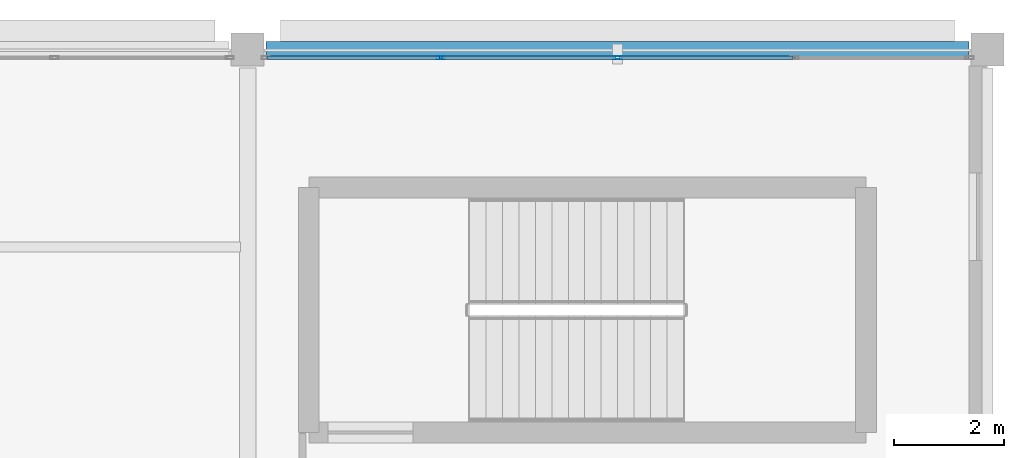
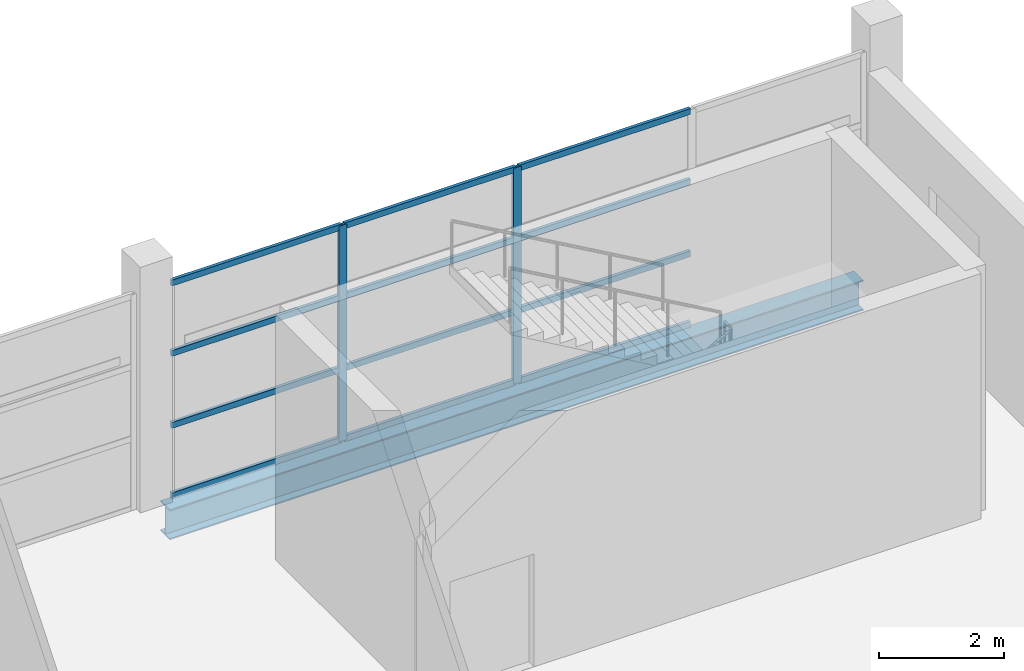
# One storey, part 110 of 134: 14 members, 1 beam, 1 element without a shape of its own.
"""IFC4 building model written with IfcOpenShell, lengths in metres."""

import ifcopenshell
import ifcopenshell.guid

model = None  # the IFC model being written
_history = None  # IfcOwnerHistory: only IFC2X3 demands one
_inside = {}  # id of a spatial element -> (the spatial element, [elements in it])
_under = {}  # id of a project, library or spatial element -> (it, [spatial elements below it])
_declared = {}  # id of a project -> (the project, [libraries it declares])
_typed = {}  # id of a type object -> (the type object, [elements of that type])
_made_of = {}  # id of a material, layer set ... -> (it, [elements and type objects made of it])


def new_model(schema):
    """Start an empty IFC model of exactly this schema.

    Asked for "IFC4X3", IfcOpenShell would pick the latest addendum, in which some entities
    have other attributes; the version numbers below select the first issue.
    IFC2X3 requires an IfcOwnerHistory on every rooted entity: one is made here for all.
    """
    global model, _history
    if schema == "IFC4X3":
        model = ifcopenshell.file(schema_version=(4, 3, 0, 0))
    else:
        model = ifcopenshell.file(schema=schema)
    _inside.clear()
    _under.clear()
    _declared.clear()
    _typed.clear()
    _made_of.clear()
    _history = None
    if model.schema == "IFC2X3":
        org = make("IfcOrganization", Name="unknown")
        user = make(
            "IfcPersonAndOrganization",
            ThePerson=make("IfcPerson", FamilyName="unknown"),
            TheOrganization=org,
        )
        app = make(
            "IfcApplication",
            ApplicationDeveloper=org,
            Version="unknown",
            ApplicationFullName="unknown",
            ApplicationIdentifier="unknown",
        )
        _history = make(
            "IfcOwnerHistory",
            OwningUser=user,
            OwningApplication=app,
            ChangeAction="ADDED",
            CreationDate=0,
        )
    return model


def make(cls, **values):
    """One entity of the class cls with the attributes given. An attribute that is None is left unset."""
    return model.create_entity(
        cls, **{name: value for name, value in values.items() if value is not None}
    )


def rooted(cls, **values):
    """An entity with a GlobalId (a new one), such as an element, a storey or a relation."""
    return make(cls, GlobalId=ifcopenshell.guid.new(), OwnerHistory=_history, **values)


def si_unit(unit_type, name, prefix=None):
    """IfcSIUnit, for example si_unit("LENGTHUNIT", "METRE", prefix="MILLI")."""
    return make("IfcSIUnit", UnitType=unit_type, Prefix=prefix, Name=name)


def assignment(units):
    """IfcUnitAssignment: the units of a project."""
    return None if units is None else make("IfcUnitAssignment", Units=units)


def point(xyz):
    """IfcCartesianPoint."""
    return None if xyz is None else make("IfcCartesianPoint", Coordinates=xyz)


def direction(xyz):
    """IfcDirection."""
    return None if xyz is None else make("IfcDirection", DirectionRatios=xyz)


def frame(location, z_axis=None, x_axis=None):
    """IfcAxis2Placement3D, a coordinate frame: its origin and axes. An axis left out is left unset."""
    return make(
        "IfcAxis2Placement3D",
        Location=point(location),
        Axis=direction(z_axis),
        RefDirection=direction(x_axis),
    )


def frame_2d(location, x_axis=None):
    """IfcAxis2Placement2D, a coordinate frame in the plane: its origin and x axis."""
    return make(
        "IfcAxis2Placement2D", Location=point(location), RefDirection=direction(x_axis)
    )


def origin():
    """The frame at (0, 0, 0) with its axes left unset."""
    return frame((0.0, 0.0, 0.0))


def origin_2d():
    """The frame at (0, 0) in the plane with its x axis left unset."""
    return frame_2d((0.0, 0.0))


def place(relative_to, where):
    """IfcLocalPlacement: puts the frame where relative to a parent placement (None: the world)."""
    return make(
        "IfcLocalPlacement", PlacementRelTo=relative_to, RelativePlacement=where
    )


def context(
    kind, dimensions, precision=None, world=None, true_north=None, identifier=None
):
    """IfcGeometricRepresentationContext, for example the 3D "Model" context."""
    return make(
        "IfcGeometricRepresentationContext",
        ContextIdentifier=identifier,
        ContextType=kind,
        CoordinateSpaceDimension=dimensions,
        Precision=precision,
        WorldCoordinateSystem=world,
        TrueNorth=true_north,
    )


def subcontext(parent, identifier, kind, view, scale=None):
    """IfcGeometricRepresentationSubContext, for example "Body" below "Model"."""
    return make(
        "IfcGeometricRepresentationSubContext",
        ContextIdentifier=identifier,
        ContextType=kind,
        ParentContext=parent,
        TargetScale=scale,
        TargetView=view,
    )


def project(units=None, contexts=None):
    """IfcProject with its units and contexts."""
    return rooted(
        "IfcProject",
        Name="project",
        RepresentationContexts=contexts,
        UnitsInContext=assignment(units),
    )


def spatial(cls, under=None, at=None, **own):
    """A site, building, storey or space (cls), placed at a placement, below another one or the project."""
    s = rooted(cls, ObjectPlacement=at, **own)
    if under is not None:
        _under.setdefault(under.id(), (under, []))[1].append(s)
    return s


def profile(cls, at=None, kind="AREA", **sizes):
    """A parametric profile (cls). Its sizes go by their IFC names, for example OverallWidth=200.0."""
    return make(cls, ProfileType=kind, Position=at, **sizes)


def hollow_rectangle(**sizes):
    """IfcRectangleHollowProfileDef."""
    return profile("IfcRectangleHollowProfileDef", **sizes)


def i_section(**sizes):
    """IfcIShapeProfileDef."""
    return profile("IfcIShapeProfileDef", **sizes)


def extrude(swept, where, along, depth):
    """IfcExtrudedAreaSolid: the profile swept, set in the frame where, extruded along a direction by depth."""
    return make(
        "IfcExtrudedAreaSolid",
        SweptArea=swept,
        Position=where,
        ExtrudedDirection=direction(along),
        Depth=depth,
    )


def shape(context_of_items, identifier, shape_type, items):
    """IfcShapeRepresentation: the items that make up one representation, for example the "Body"."""
    return make(
        "IfcShapeRepresentation",
        ContextOfItems=context_of_items,
        RepresentationIdentifier=identifier,
        RepresentationType=shape_type,
        Items=items,
    )


def material(Name=None, Category=None):
    """IfcMaterial."""
    return make("IfcMaterial", Name=Name, Category=Category)


def layer(
    of_material, thickness, ventilated=None, Name=None, Category=None, Priority=None
):
    """IfcMaterialLayer: one layer of a wall or slab, of a material (None: an air gap)."""
    return make(
        "IfcMaterialLayer",
        Material=of_material,
        LayerThickness=thickness,
        IsVentilated=ventilated,
        Name=Name,
        Category=Category,
        Priority=Priority,
    )


def layer_set(layers, Name=None):
    """IfcMaterialLayerSet."""
    return make("IfcMaterialLayerSet", MaterialLayers=layers, LayerSetName=Name)


def material_profile(
    of_material, cross_section, Name=None, Category=None, Priority=None
):
    """IfcMaterialProfile: a cross section and its material."""
    return make(
        "IfcMaterialProfile",
        Name=Name,
        Material=of_material,
        Profile=cross_section,
        Priority=Priority,
        Category=Category,
    )


def profile_set(profiles, Name=None, composite=None):
    """IfcMaterialProfileSet."""
    return make(
        "IfcMaterialProfileSet",
        Name=Name,
        MaterialProfiles=profiles,
        CompositeProfile=composite,
    )


def made_of(thing, what):
    """Note that an element or type object is made of a material, layer set ...; save() writes the relation."""
    if what is not None:
        _made_of.setdefault(what.id(), (what, []))[1].append(thing)
    return thing


def type_object(cls, material=None, **own):
    """A type object (cls), such as IfcWallType, which elements share."""
    return made_of(rooted(cls, **own), material)


def element(
    cls,
    number,
    at=None,
    inside=None,
    cuts=None,
    type_object=None,
    material=None,
    context=None,
    identifier="Body",
    shape_type=None,
    held_by="IfcProductDefinitionShape",
    body=None,
    shapes=None,
    **own,
):
    """One element of the class cls, such as IfcWall. Its Tag is "e" and its number.

    at: its placement. inside: the storey or other place that contains it. cuts: it is an
    opening in that element (IfcRelVoidsElement). A single representation is given by context,
    identifier, shape_type and body (its items); several are given by shapes. held_by: the class
    of the entity that holds the representations. save() writes the other relations.
    """
    e = rooted(cls, Tag="e%d" % number, ObjectPlacement=at, **own)
    if body is not None:
        shapes = [shape(context, identifier, shape_type, body)]
    if shapes is not None:
        e.Representation = make(held_by, Representations=shapes)
    if inside is not None:
        _inside.setdefault(inside.id(), (inside, []))[1].append(e)
    if cuts is not None:
        rooted(
            "IfcRelVoidsElement", RelatingBuildingElement=cuts, RelatedOpeningElement=e
        )
    if type_object is not None:
        _typed.setdefault(type_object.id(), (type_object, []))[1].append(e)
    return made_of(e, material)


def aggregate(whole, parts):
    """IfcRelAggregates: a whole, such as a stair, and the parts it consists of."""
    return rooted("IfcRelAggregates", RelatingObject=whole, RelatedObjects=parts)


def save(model, path):
    """Write the relations noted so far, then the file.

    IfcRelAggregates (storeys below a building ...), IfcRelContainedInSpatialStructure (elements
    in a storey), IfcRelDefinesByType, IfcRelAssociatesMaterial and IfcRelDeclares: one each for
    every whole, place, type object, material and project.
    """
    for whole, parts in _under.values():
        aggregate(whole, parts)
    for where, things in _inside.values():
        rooted(
            "IfcRelContainedInSpatialStructure",
            RelatedElements=things,
            RelatingStructure=where,
        )
    for kind, things in _typed.values():
        rooted("IfcRelDefinesByType", RelatedObjects=things, RelatingType=kind)
    for what, things in _made_of.values():
        rooted("IfcRelAssociatesMaterial", RelatedObjects=things, RelatingMaterial=what)
    for by, libraries in _declared.values():
        rooted("IfcRelDeclares", RelatingContext=by, RelatedDefinitions=libraries)
    model.write(path)


model = new_model("IFC4")

# Units and contexts
model_context = context("Model", 3, precision=1e-05, world=origin(), true_north=direction((0.0, 1.0)))
body_context = subcontext(model_context, "Body", "Model", "MODEL_VIEW")
ifc_project = project(units=[si_unit("LENGTHUNIT", "METRE"), si_unit("AREAUNIT", "SQUARE_METRE"), si_unit("VOLUMEUNIT", "CUBIC_METRE"), si_unit("PLANEANGLEUNIT", "RADIAN"), si_unit("MASSUNIT", "GRAM", prefix="KILO")], contexts=[model_context])

# Site, building, storey
site_placement = place(None, origin())
site = spatial("IfcSite", under=ifc_project, at=site_placement, CompositionType="ELEMENT")
building_placement = place(site_placement, origin())
building = spatial("IfcBuilding", under=site, at=building_placement, Name="Tamarisk Ironworks Central Station", CompositionType="ELEMENT")
storey_placement = place(building_placement, frame((0.0, 0.0, 12.60009765625)))
storey = spatial("IfcBuildingStorey", under=building, at=storey_placement, Name="L02", CompositionType="ELEMENT", Elevation=12.60009765625)

# Beam
ifc_material_1 = material(Name="Structural steel S355J2", Category="steel")
ifc_material_profile_1 = material_profile(ifc_material_1, i_section(OverallWidth=0.300048828125, OverallDepth=0.590087890625, WebThickness=0.012939453125, FlangeThickness=0.02490234375, at=origin_2d()), Name="HEA 600")
ifc_profile_set_1 = profile_set([ifc_material_profile_1], Name="Structural steel S355J2")
beam_type = type_object("IfcBeamType", Name="BM-G03", PredefinedType="BEAM", material=ifc_profile_set_1)
beam_placement = place(storey_placement, frame((166.837890625, 122.39990234375, -0.545166015625), z_axis=(1.0, 0.0, 0.0), x_axis=(0.0, 1.0, 0.0)))
element("IfcBeam", 1, at=beam_placement, inside=storey, type_object=beam_type, Name="L02 primary girder X-0415", PredefinedType="BEAM", context=body_context, shape_type="SweptSolid", body=[
    extrude(i_section(OverallWidth=0.300048828125, OverallDepth=0.590087890625, WebThickness=0.012939453125, FlangeThickness=0.02490234375, at=origin_2d()), origin(), (0.0, 0.0, 1.0), 12.82421875),
])

# Curtain wall, members
ifc_material_2 = material(Name="Anodized aluminium alloy 6063-T6", Category="aluminium")
ifc_layer = layer(ifc_material_2, 0.179931640625)
ifc_layer_set = layer_set([ifc_layer], Name="Anodized aluminium alloy 6063-T6")
curtain_wall_type = type_object("IfcCurtainWallType", Name="CW-17", PredefinedType="USERDEFINED", material=ifc_layer_set)
curtain_wall_placement = place(storey_placement, origin())
curtain_wall = element("IfcCurtainWall", 2, at=curtain_wall_placement, inside=storey, type_object=curtain_wall_type, Name="Operations L02 north facade curtain wall 166", ObjectType="GLAZED CURTAIN WALL", PredefinedType="USERDEFINED")
ifc_material_profile_2 = material_profile(ifc_material_2, hollow_rectangle(XDim=0.06005859375, YDim=0.14990234375, WallThickness=0.00341796875, at=origin_2d()), Name="ALUM 150x60")
ifc_profile_set_2 = profile_set([ifc_material_profile_2], Name="Anodized aluminium alloy 6063-T6")
member_type_1 = type_object("IfcMemberType", Name="CWM-03", PredefinedType="MULLION", material=ifc_profile_set_2)
member_1_placement = place(storey_placement, frame((170.02392578125, 122.25, 0.0), z_axis=(0.0, 0.0, 1.0), x_axis=(0.0, 1.0, 0.0)))
member_1 = element("IfcMember", 3, at=member_1_placement, type_object=member_type_1, Name="CW17 mullion 2", PredefinedType="MULLION", context=body_context, shape_type="SweptSolid", body=[
    extrude(hollow_rectangle(XDim=0.06005859375, YDim=0.14990234375, WallThickness=0.00341796875, at=origin_2d()), origin(), (0.0, 0.0, 1.0), 4.219970703125),
])
member_2_placement = place(storey_placement, frame((173.25, 122.25, 0.0), z_axis=(0.0, 0.0, 1.0), x_axis=(0.0, 1.0, 0.0)))
member_2 = element("IfcMember", 4, at=member_2_placement, type_object=member_type_1, Name="CW17 mullion 3", PredefinedType="MULLION", context=body_context, shape_type="SweptSolid", body=[
    extrude(hollow_rectangle(XDim=0.06005859375, YDim=0.14990234375, WallThickness=0.00341796875, at=origin_2d()), origin(), (0.0, 0.0, 1.0), 4.219970703125),
])
ifc_material_profile_3 = material_profile(ifc_material_2, hollow_rectangle(XDim=0.06005859375, YDim=0.114990234375, WallThickness=0.00341796875, at=origin_2d()), Name="ALUM 115x60")
ifc_profile_set_3 = profile_set([ifc_material_profile_3], Name="Anodized aluminium alloy 6063-T6")
member_type_2 = type_object("IfcMemberType", Name="CWT-03", PredefinedType="USERDEFINED", material=ifc_profile_set_3)
member_3_placement = place(storey_placement, frame((166.85400390625, 122.25, 0.02978515625), z_axis=(1.0, 0.0, 0.0), x_axis=(0.0, 1.0, 0.0)))
member_3 = element("IfcMember", 5, at=member_3_placement, type_object=member_type_2, Name="CW17 transom 1.1", ObjectType="TRANSOM", PredefinedType="USERDEFINED", context=body_context, shape_type="SweptSolid", body=[
    extrude(hollow_rectangle(XDim=0.06005859375, YDim=0.114990234375, WallThickness=0.00341796875, at=origin_2d()), origin(), (0.0, 0.0, 1.0), 3.14404296875),
])
member_4_placement = place(storey_placement, frame((166.85400390625, 122.25, 1.406494140625), z_axis=(1.0, 0.0, 0.0), x_axis=(0.0, 1.0, 0.0)))
member_4 = element("IfcMember", 6, at=member_4_placement, type_object=member_type_2, Name="CW17 transom 1.2", ObjectType="TRANSOM", PredefinedType="USERDEFINED", context=body_context, shape_type="SweptSolid", body=[
    extrude(hollow_rectangle(XDim=0.06005859375, YDim=0.114990234375, WallThickness=0.00341796875, at=origin_2d()), origin(), (0.0, 0.0, 1.0), 3.14404296875),
])
member_5_placement = place(storey_placement, frame((166.85400390625, 122.25, 2.813232421875), z_axis=(1.0, 0.0, 0.0), x_axis=(0.0, 1.0, 0.0)))
member_5 = element("IfcMember", 7, at=member_5_placement, type_object=member_type_2, Name="CW17 transom 1.3", ObjectType="TRANSOM", PredefinedType="USERDEFINED", context=body_context, shape_type="SweptSolid", body=[
    extrude(hollow_rectangle(XDim=0.06005859375, YDim=0.114990234375, WallThickness=0.00341796875, at=origin_2d()), origin(), (0.0, 0.0, 1.0), 3.14404296875),
])
member_6_placement = place(storey_placement, frame((166.85400390625, 122.25, 4.18994140625), z_axis=(1.0, 0.0, 0.0), x_axis=(0.0, 1.0, 0.0)))
member_6 = element("IfcMember", 8, at=member_6_placement, type_object=member_type_2, Name="CW17 transom 1.4", ObjectType="TRANSOM", PredefinedType="USERDEFINED", context=body_context, shape_type="SweptSolid", body=[
    extrude(hollow_rectangle(XDim=0.06005859375, YDim=0.114990234375, WallThickness=0.00341796875, at=origin_2d()), origin(), (0.0, 0.0, 1.0), 3.14404296875),
])
member_7_placement = place(storey_placement, frame((170.050048828125, 122.25, 0.02978515625), z_axis=(1.0, 0.0, 0.0), x_axis=(0.0, 1.0, 0.0)))
member_7 = element("IfcMember", 9, at=member_7_placement, type_object=member_type_2, Name="CW17 transom 2.1", ObjectType="TRANSOM", PredefinedType="USERDEFINED", context=body_context, shape_type="SweptSolid", body=[
    extrude(hollow_rectangle(XDim=0.06005859375, YDim=0.114990234375, WallThickness=0.00341796875, at=origin_2d()), origin(), (0.0, 0.0, 1.0), 3.174072265625),
])
member_8_placement = place(storey_placement, frame((170.050048828125, 122.25, 1.406494140625), z_axis=(1.0, 0.0, 0.0), x_axis=(0.0, 1.0, 0.0)))
member_8 = element("IfcMember", 10, at=member_8_placement, type_object=member_type_2, Name="CW17 transom 2.2", ObjectType="TRANSOM", PredefinedType="USERDEFINED", context=body_context, shape_type="SweptSolid", body=[
    extrude(hollow_rectangle(XDim=0.06005859375, YDim=0.114990234375, WallThickness=0.00341796875, at=origin_2d()), origin(), (0.0, 0.0, 1.0), 3.174072265625),
])
member_9_placement = place(storey_placement, frame((170.050048828125, 122.25, 2.813232421875), z_axis=(1.0, 0.0, 0.0), x_axis=(0.0, 1.0, 0.0)))
member_9 = element("IfcMember", 11, at=member_9_placement, type_object=member_type_2, Name="CW17 transom 2.3", ObjectType="TRANSOM", PredefinedType="USERDEFINED", context=body_context, shape_type="SweptSolid", body=[
    extrude(hollow_rectangle(XDim=0.06005859375, YDim=0.114990234375, WallThickness=0.00341796875, at=origin_2d()), origin(), (0.0, 0.0, 1.0), 3.174072265625),
])
member_10_placement = place(storey_placement, frame((170.050048828125, 122.25, 4.18994140625), z_axis=(1.0, 0.0, 0.0), x_axis=(0.0, 1.0, 0.0)))
member_10 = element("IfcMember", 12, at=member_10_placement, type_object=member_type_2, Name="CW17 transom 2.4", ObjectType="TRANSOM", PredefinedType="USERDEFINED", context=body_context, shape_type="SweptSolid", body=[
    extrude(hollow_rectangle(XDim=0.06005859375, YDim=0.114990234375, WallThickness=0.00341796875, at=origin_2d()), origin(), (0.0, 0.0, 1.0), 3.174072265625),
])
member_11_placement = place(storey_placement, frame((173.27587890625, 122.25, 0.02978515625), z_axis=(1.0, 0.0, 0.0), x_axis=(0.0, 1.0, 0.0)))
member_11 = element("IfcMember", 13, at=member_11_placement, type_object=member_type_2, Name="CW17 transom 3.1", ObjectType="TRANSOM", PredefinedType="USERDEFINED", context=body_context, shape_type="SweptSolid", body=[
    extrude(hollow_rectangle(XDim=0.06005859375, YDim=0.114990234375, WallThickness=0.00341796875, at=origin_2d()), origin(), (0.0, 0.0, 1.0), 3.174072265625),
])
member_12_placement = place(storey_placement, frame((173.27587890625, 122.25, 1.406494140625), z_axis=(1.0, 0.0, 0.0), x_axis=(0.0, 1.0, 0.0)))
member_12 = element("IfcMember", 14, at=member_12_placement, type_object=member_type_2, Name="CW17 transom 3.2", ObjectType="TRANSOM", PredefinedType="USERDEFINED", context=body_context, shape_type="SweptSolid", body=[
    extrude(hollow_rectangle(XDim=0.06005859375, YDim=0.114990234375, WallThickness=0.00341796875, at=origin_2d()), origin(), (0.0, 0.0, 1.0), 3.174072265625),
])
member_13_placement = place(storey_placement, frame((173.27587890625, 122.25, 2.813232421875), z_axis=(1.0, 0.0, 0.0), x_axis=(0.0, 1.0, 0.0)))
member_13 = element("IfcMember", 15, at=member_13_placement, type_object=member_type_2, Name="CW17 transom 3.3", ObjectType="TRANSOM", PredefinedType="USERDEFINED", context=body_context, shape_type="SweptSolid", body=[
    extrude(hollow_rectangle(XDim=0.06005859375, YDim=0.114990234375, WallThickness=0.00341796875, at=origin_2d()), origin(), (0.0, 0.0, 1.0), 3.174072265625),
])
member_14_placement = place(storey_placement, frame((173.27587890625, 122.25, 4.18994140625), z_axis=(1.0, 0.0, 0.0), x_axis=(0.0, 1.0, 0.0)))
member_14 = element("IfcMember", 16, at=member_14_placement, type_object=member_type_2, Name="CW17 transom 3.4", ObjectType="TRANSOM", PredefinedType="USERDEFINED", context=body_context, shape_type="SweptSolid", body=[
    extrude(hollow_rectangle(XDim=0.06005859375, YDim=0.114990234375, WallThickness=0.00341796875, at=origin_2d()), origin(), (0.0, 0.0, 1.0), 3.174072265625),
])
aggregate(curtain_wall, [member_1, member_2, member_3, member_4, member_5, member_6, member_7, member_8, member_9, member_10, member_11, member_12, member_13, member_14])

save(model, "model.ifc")
